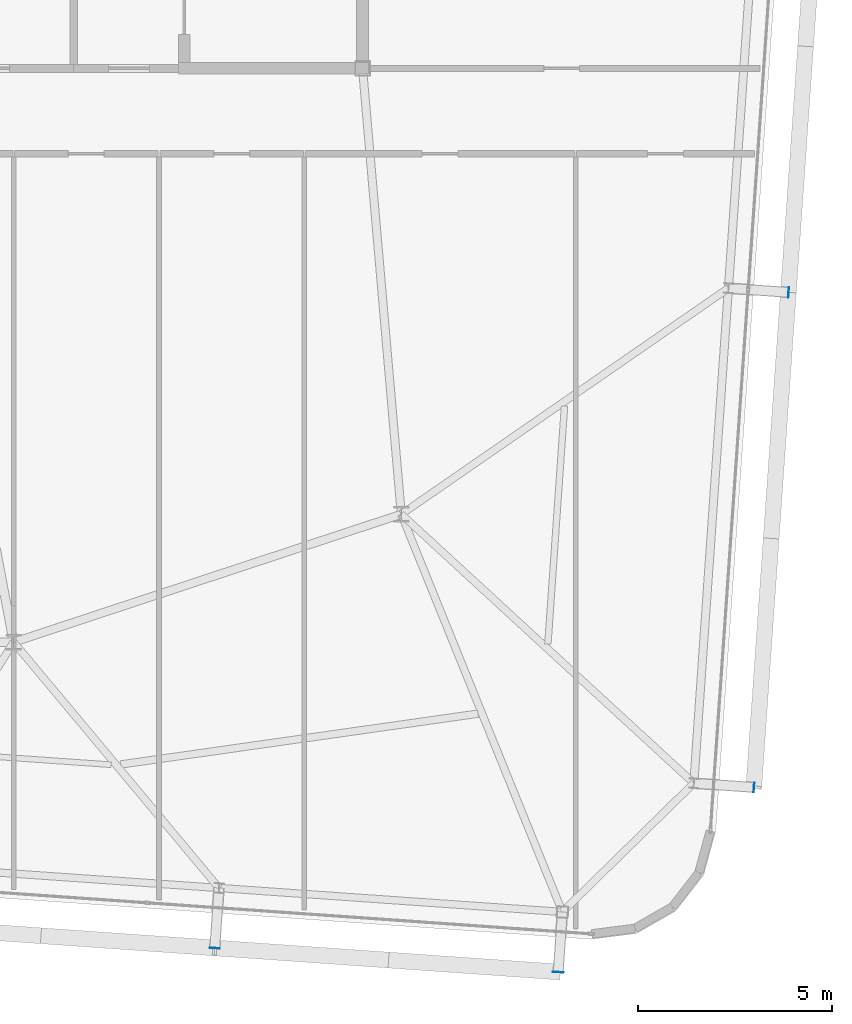
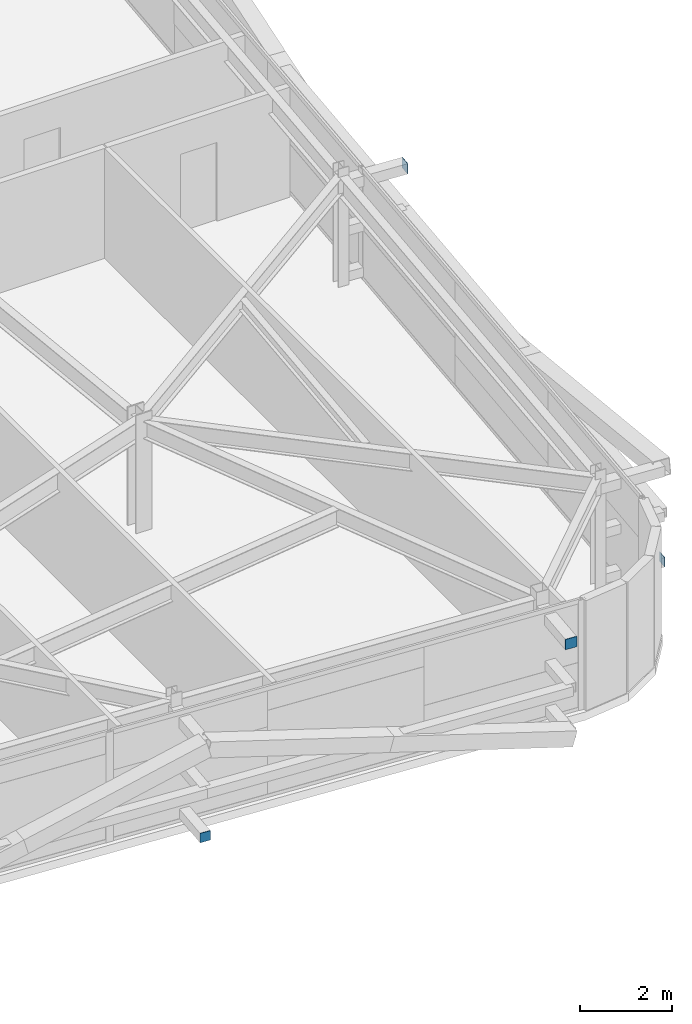
# One storey, part 30 of 39: 4 plates.
"""IFC4 building model written with IfcOpenShell, lengths in metres."""

from ifc_helpers import new_model, si_unit, direction, frame, origin, origin_2d, place, context, subcontext, project, spatial, rectangle, extrude, source, transform, mapped, material, layer, layer_set, type_object, element, save


model = new_model("IFC4")

# Units and contexts
model_context = context("Model", 3, precision=1e-05, world=origin(), true_north=direction((0.0, 1.0)))
body_context = subcontext(model_context, "Body", "Model", "MODEL_VIEW")
ifc_project = project(units=[si_unit("LENGTHUNIT", "METRE"), si_unit("AREAUNIT", "SQUARE_METRE"), si_unit("VOLUMEUNIT", "CUBIC_METRE"), si_unit("PLANEANGLEUNIT", "RADIAN"), si_unit("MASSUNIT", "GRAM", prefix="KILO")], contexts=[model_context])

# Site, building, storey
site_placement = place(None, origin())
site = spatial("IfcSite", under=ifc_project, at=site_placement, CompositionType="ELEMENT")
building_placement = place(site_placement, origin())
building = spatial("IfcBuilding", under=site, at=building_placement, Name="Taldren Reach Tower", CompositionType="ELEMENT")
storey_placement = place(building_placement, frame((0.0, 0.0, 155.050048828125)))
storey = spatial("IfcBuildingStorey", under=building, at=storey_placement, Name="L47", CompositionType="ELEMENT", Elevation=155.050048828125)

# Plates
ifc_material_1 = material(Name="Steel Gr 450 (C450L0)", Category="steel")
ifc_layer_1 = layer(ifc_material_1, 0.011962890625)
ifc_layer_set_1 = layer_set([ifc_layer_1], Name="Steel Gr 450 (C450L0)")
plate_type_1 = type_object("IfcPlateType", Name="PL-CAP-275", PredefinedType="SHEET", material=ifc_layer_set_1)
shared_shape_1 = source(origin(), body_context, "Body", "SweptSolid", [
    extrude(rectangle(XDim=0.27490234375, YDim=0.011962890625, at=origin_2d()), origin(), (0.0, 0.0, 1.0), 0.27490234375),
])
plate_1_placement = place(storey_placement, frame((56.046875, 0.68896484375, 2.512451171875), z_axis=(0.0, 0.0, 1.0), x_axis=(0.99756405026, -0.069756473744, 0.0)))
element("IfcPlate", 1, at=plate_1_placement, inside=storey, type_object=plate_type_1, Name="Tie strut end cap plate B3-S6 L47", PredefinedType="SHEET", context=body_context, shape_type="MappedRepresentation", body=[
    mapped(shared_shape_1, transform((0.0, 0.0, 0.0), scale=1.0)),
])
shared_shape_2 = source(origin(), body_context, "Body", "SweptSolid", [
    extrude(rectangle(XDim=0.011962890625, YDim=0.27490234375, at=origin_2d()), origin(), (0.0, 0.0, 1.0), 0.27490234375),
])
plate_2_placement = place(storey_placement, frame((61.990478515625, 18.22314453125, 2.512451171875), z_axis=(0.0, 0.0, 1.0), x_axis=(0.99756405026, -0.069756473744, 0.0)))
element("IfcPlate", 2, at=plate_2_placement, inside=storey, type_object=plate_type_1, Name="Tie strut end cap plate B3-E2 L47", PredefinedType="SHEET", context=body_context, shape_type="MappedRepresentation", body=[
    mapped(shared_shape_2, transform((0.0, 0.0, 0.0), scale=1.0)),
])
ifc_material_2 = material(Name="Steel Gr 350 (C350L0)", Category="steel")
ifc_layer_2 = layer(ifc_material_2, 0.011962890625)
ifc_layer_set_2 = layer_set([ifc_layer_2], Name="Steel Gr 350 (C350L0)")
plate_type_2 = type_object("IfcPlateType", Name="PL-CAP-250", PredefinedType="SHEET", material=ifc_layer_set_2)
shared_shape_3 = source(origin(), body_context, "Body", "SweptSolid", [
    extrude(rectangle(XDim=0.25, YDim=0.011962890625, at=origin_2d()), origin(), (0.0, 0.0, 1.0), 0.25),
])
plate_3_placement = place(storey_placement, frame((47.1884765625, 1.308349609375, 0.094970703125), z_axis=(0.0, 0.0, 1.0), x_axis=(0.99756405026, -0.069756473744, 0.0)))
element("IfcPlate", 3, at=plate_3_placement, inside=storey, type_object=plate_type_2, Name="Tie strut end cap plate B3-S5 L47", PredefinedType="SHEET", context=body_context, shape_type="MappedRepresentation", body=[
    mapped(shared_shape_3, transform((0.0, 0.0, 0.0), scale=1.0)),
])
shared_shape_4 = source(origin(), body_context, "Body", "SweptSolid", [
    extrude(rectangle(XDim=0.011962890625, YDim=0.25, at=origin_2d()), origin(), (0.0, 0.0, 1.0), 0.25),
])
plate_4_placement = place(storey_placement, frame((61.09765625, 5.454345703125, 0.094970703125), z_axis=(0.0, 0.0, 1.0), x_axis=(0.99756405026, -0.069756473744, 0.0)))
element("IfcPlate", 4, at=plate_4_placement, inside=storey, type_object=plate_type_2, Name="Tie strut end cap plate B3-E1 L47", PredefinedType="SHEET", context=body_context, shape_type="MappedRepresentation", body=[
    mapped(shared_shape_4, transform((0.0, 0.0, 0.0), scale=1.0)),
])

save(model, "model.ifc")
